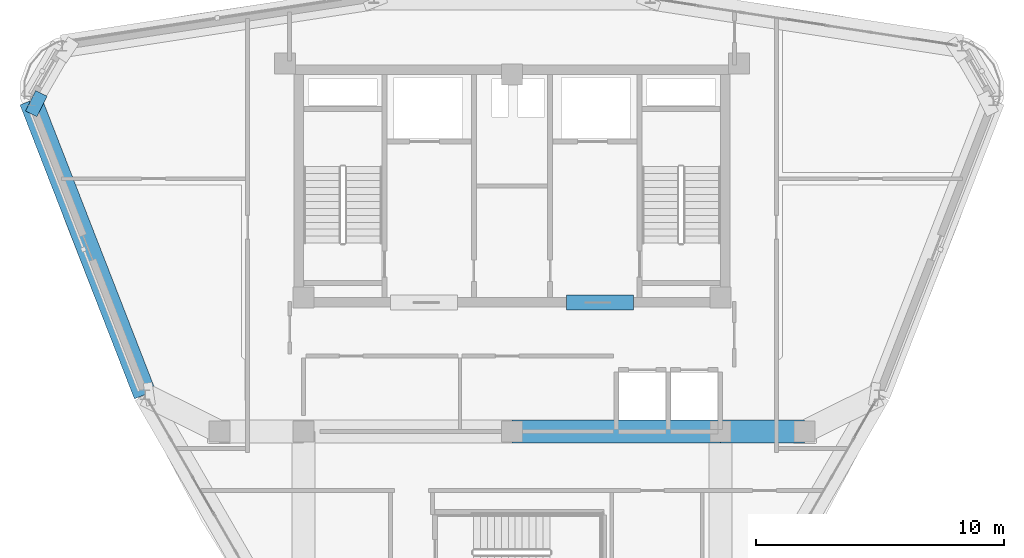
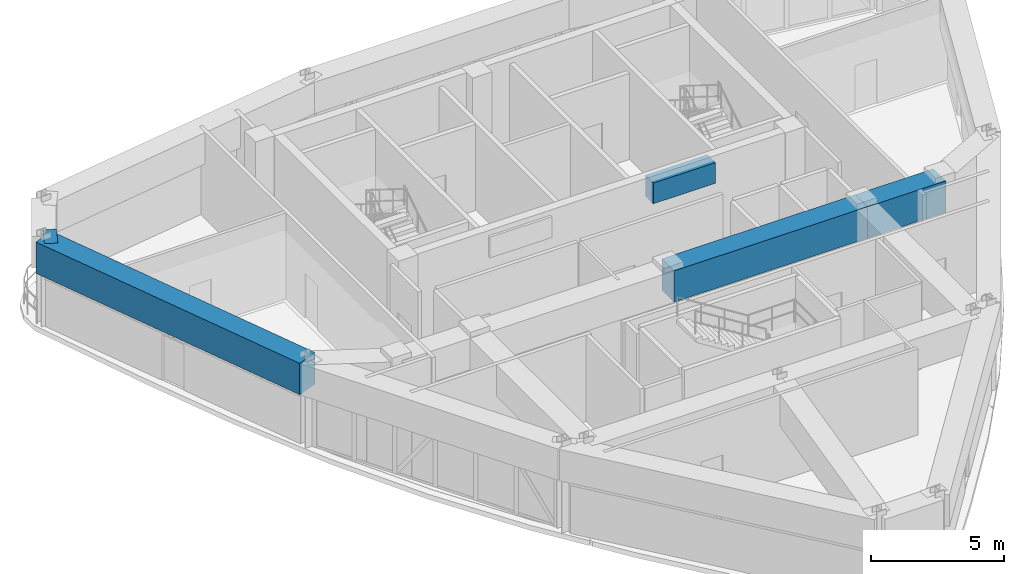
# One storey, part 6 of 17: 5 beams.
"""IFC4 building model written with IfcOpenShell, lengths in metres."""

from ifc_helpers import new_model, si_unit, derived_unit, direction, frame, origin, origin_2d, place, context, subcontext, project, spatial, rectangle, extrude, source, transform, mapped, material, material_profile, profile_set, type_object, element, save


model = new_model("IFC4")

# Units and contexts
model_context = context("Model", 3, precision=1e-05, world=origin(), true_north=direction((0.0, 1.0)))
body_context = subcontext(model_context, "Body", "Model", "MODEL_VIEW")
ifc_project = project(units=[si_unit("LENGTHUNIT", "METRE"), si_unit("AREAUNIT", "SQUARE_METRE"), si_unit("VOLUMEUNIT", "CUBIC_METRE"), si_unit("PLANEANGLEUNIT", "RADIAN"), si_unit("MASSUNIT", "GRAM", prefix="KILO"), derived_unit("THERMALTRANSMITTANCEUNIT", [(si_unit("POWERUNIT", "WATT"), 1), (si_unit("LENGTHUNIT", "METRE"), -2), (si_unit("THERMODYNAMICTEMPERATUREUNIT", "KELVIN"), -1)])], contexts=[model_context])

# Site, building, storey
site_placement = place(None, origin())
site = spatial("IfcSite", under=ifc_project, at=site_placement, CompositionType="ELEMENT")
building_placement = place(site_placement, origin())
building = spatial("IfcBuilding", under=site, at=building_placement, Name="Korsvarv Bourse and Concert Hall", CompositionType="ELEMENT")
storey_placement = place(building_placement, frame((0.0, 0.0, 279.60009765625)))
storey = spatial("IfcBuildingStorey", under=building, at=storey_placement, Name="L73", CompositionType="ELEMENT", Elevation=279.60009765625)

# Beams
ifc_material_1 = material(Name="Concrete C55/67", Category="concrete")
ifc_material_profile_1 = material_profile(ifc_material_1, rectangle(XDim=0.60009765625, YDim=0.949951171875, at=origin_2d()), Name="RC-BM 600x950")
ifc_profile_set_1 = profile_set([ifc_material_profile_1], Name="Concrete C55/67")
beam_type_1 = type_object("IfcBeamType", Name="BM-CPL", PredefinedType="LINTEL", material=ifc_profile_set_1)
shared_shape_1 = source(origin(), body_context, "Body", "SweptSolid", [
    extrude(rectangle(XDim=0.60009765625, YDim=0.949951171875, at=origin_2d()), origin(), (0.0, 0.0, 1.0), 2.699951171875),
])
beam_1_placement = place(storey_placement, frame((38.199951171875, 37.610107421875, 3.48486328125), z_axis=(1.0, 0.0, 0.0), x_axis=(0.0, 1.0, 0.0)))
element("IfcBeam", 1, at=beam_1_placement, inside=storey, type_object=beam_type_1, Name="L73 Core Coupling Beam East", PredefinedType="LINTEL", context=body_context, shape_type="MappedRepresentation", body=[
    mapped(shared_shape_1, transform((0.0, 0.0, 0.0), scale=1.0)),
])
ifc_material_2 = material(Name="Concrete C50/60", Category="concrete")
ifc_material_profile_2 = material_profile(ifc_material_2, rectangle(XDim=0.919921875, YDim=1.43994140625, at=origin_2d()), Name="RC-BM 920x1440")
ifc_profile_set_2 = profile_set([ifc_material_profile_2], Name="Concrete C50/60")
beam_type_2 = type_object("IfcBeamType", Name="BM-TR-144", PredefinedType="BEAM", material=ifc_profile_set_2)
shared_shape_2 = source(origin(), body_context, "Body", "SweptSolid", [
    extrude(rectangle(XDim=0.919921875, YDim=1.43994140625, at=origin_2d()), origin(), (0.0, 0.0, 1.0), 3.400146484375),
])
beam_2_placement = place(storey_placement, frame((44.39990234375, 32.39990234375, 3.239990234375), z_axis=(1.0, 0.0, 0.0), x_axis=(0.0, 1.0, 0.0)))
element("IfcBeam", 2, at=beam_2_placement, inside=storey, type_object=beam_type_2, Name="L73 beam B-TR4", PredefinedType="BEAM", context=body_context, shape_type="MappedRepresentation", body=[
    mapped(shared_shape_2, transform((0.0, 0.0, 0.0), scale=1.0)),
])
shared_shape_3 = source(origin(), body_context, "Body", "SweptSolid", [
    extrude(rectangle(XDim=0.919921875, YDim=1.43994140625, at=origin_2d()), origin(), (0.0, 0.0, 1.0), 8.39990234375),
])
beam_3_placement = place(storey_placement, frame((36.0, 32.39990234375, 3.239990234375), z_axis=(1.0, 0.0, 0.0), x_axis=(0.0, 1.0, 0.0)))
element("IfcBeam", 3, at=beam_3_placement, inside=storey, type_object=beam_type_2, Name="L73 beam B-TR4", PredefinedType="BEAM", context=body_context, shape_type="MappedRepresentation", body=[
    mapped(shared_shape_3, transform((0.0, 0.0, 0.0), scale=1.0)),
])
shared_shape_4 = source(origin(), body_context, "Body", "SweptSolid", [
    extrude(rectangle(XDim=0.919921875, YDim=1.43994140625, at=origin_2d()), origin(), (0.0, 0.0, 1.0), 0.510498046875),
])
beam_4_placement = place(storey_placement, frame((16.593994140625, 45.740966796875, 3.239990234375), z_axis=(0.895667052243, -0.444725231493, 0.0), x_axis=(0.444725231493, 0.895667052243, 0.0)))
element("IfcBeam", 4, at=beam_4_placement, inside=storey, type_object=beam_type_2, Name="L73 beam B-TR4", PredefinedType="BEAM", context=body_context, shape_type="MappedRepresentation", body=[
    mapped(shared_shape_4, transform((0.0, 0.0, 0.0), scale=1.0)),
])
shared_shape_5 = source(origin(), body_context, "Body", "SweptSolid", [
    extrude(rectangle(XDim=0.919921875, YDim=1.43994140625, at=origin_2d()), origin(), (0.0, 0.0, 1.0), 12.717041015625),
])
beam_5_placement = place(storey_placement, frame((16.593994140625, 45.740966796875, 3.239990234375), z_axis=(0.362609308804, -0.931941247702, 0.0), x_axis=(0.931941247702, 0.362609308804, 0.0)))
element("IfcBeam", 5, at=beam_5_placement, inside=storey, type_object=beam_type_2, Name="L73 beam B-TR4", PredefinedType="BEAM", context=body_context, shape_type="MappedRepresentation", body=[
    mapped(shared_shape_5, transform((0.0, 0.0, 0.0), scale=1.0)),
])

save(model, "model.ifc")
